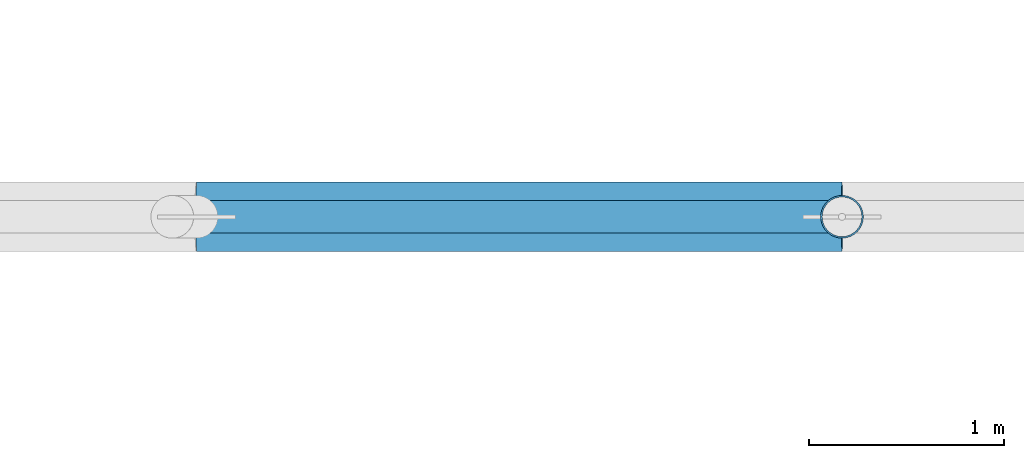
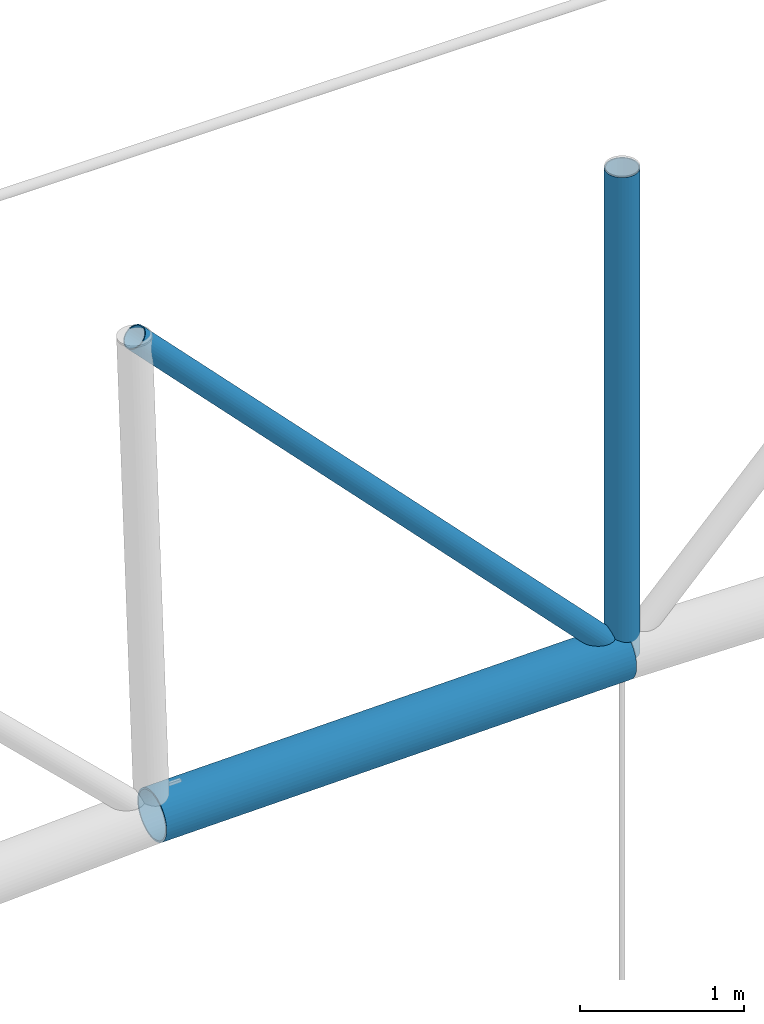
# One storey, part 32 of 321: 3 members.
"""IFC4 building model written with IfcOpenShell, lengths in metres."""

from ifc_helpers import new_model, si_unit, direction, frame, origin, origin_2d, place, context, subcontext, project, spatial, hollow_circle, extrude, material, material_profile, profile_set, type_object, element, save


model = new_model("IFC4")

# Units and contexts
model_context = context("Model", 3, precision=1e-05, world=origin(), true_north=direction((0.0, 1.0)))
body_context = subcontext(model_context, "Body", "Model", "MODEL_VIEW")
ifc_project = project(units=[si_unit("LENGTHUNIT", "METRE"), si_unit("AREAUNIT", "SQUARE_METRE"), si_unit("VOLUMEUNIT", "CUBIC_METRE"), si_unit("PLANEANGLEUNIT", "RADIAN"), si_unit("MASSUNIT", "GRAM", prefix="KILO")], contexts=[model_context])

# Site, building, storey
site_placement = place(None, origin())
site = spatial("IfcSite", under=ifc_project, at=site_placement, CompositionType="ELEMENT")
building_placement = place(site_placement, origin())
building = spatial("IfcBuilding", under=site, at=building_placement, Name="Ravi Spectrum Wholesale Market", CompositionType="ELEMENT")
storey_placement = place(building_placement, frame((0.0, 0.0, 10.800048828125)))
storey = spatial("IfcBuildingStorey", under=building, at=storey_placement, Name="L02", CompositionType="ELEMENT", Elevation=10.800048828125)

# Members
ifc_material_1 = material(Name="Steel S355", Category="steel")
ifc_material_profile_1 = material_profile(ifc_material_1, hollow_circle(Radius=0.084228515625, WallThickness=0.00634765625, at=origin_2d()))
ifc_profile_set_1 = profile_set([ifc_material_profile_1], Name="Steel S355")
member_type_1 = type_object("IfcMemberType", Name="CHS 168.3x6.3 brace", PredefinedType="BRACE", material=ifc_profile_set_1)
member_1_placement = place(storey_placement, frame((66.5703125, 54.0, 8.3408203125), z_axis=(0.695749704847, 0.0, -0.718284308756), x_axis=(0.0, 1.0, 0.0)))
element("IfcMember", 1, at=member_1_placement, inside=storey, type_object=member_type_1, Name="H1-MB-L02-244", PredefinedType="BRACE", context=body_context, shape_type="SweptSolid", body=[
    extrude(hollow_circle(Radius=0.084228515625, WallThickness=0.00634765625, at=origin_2d()), origin(), (0.0, 0.0, 1.0), 4.929443359375),
])
ifc_material_2 = material(Name="Steel S355", Category="steel")
ifc_material_profile_2 = material_profile(ifc_material_2, hollow_circle(Radius=0.109619140625, WallThickness=0.008056640625, at=origin_2d()))
ifc_profile_set_2 = profile_set([ifc_material_profile_2], Name="Steel S355")
member_type_2 = type_object("IfcMemberType", Name="CHS 219.1x8 post", PredefinedType="POST", material=ifc_profile_set_2)
member_2_placement = place(storey_placement, frame((70.0, 54.0, 8.39990234375), z_axis=(0.0, 0.0, -1.0), x_axis=(1.0, 0.0, 0.0)))
element("IfcMember", 2, at=member_2_placement, inside=storey, type_object=member_type_2, Name="H1-MB-L02-222", PredefinedType="POST", context=body_context, shape_type="SweptSolid", body=[
    extrude(hollow_circle(Radius=0.109619140625, WallThickness=0.008056640625, at=origin_2d()), origin(), (0.0, 0.0, 1.0), 3.599853515625),
])
ifc_material_3 = material(Name="Steel S355", Category="steel")
ifc_material_profile_3 = material_profile(ifc_material_3, hollow_circle(Radius=0.177734375, WallThickness=0.012451171875, at=origin_2d()))
ifc_profile_set_3 = profile_set([ifc_material_profile_3], Name="Steel S355")
member_type_3 = type_object("IfcMemberType", Name="CHS 355.6x12.5 chord", PredefinedType="CHORD", material=ifc_profile_set_3)
member_3_placement = place(storey_placement, frame((66.6943359375, 54.0, 4.742919921875), z_axis=(0.999850697486, 0.0, 0.017279546766), x_axis=(0.0, 1.0, 0.0)))
element("IfcMember", 3, at=member_3_placement, inside=storey, type_object=member_type_3, Name="H1-MB-L02-198", PredefinedType="CHORD", context=body_context, shape_type="SweptSolid", body=[
    extrude(hollow_circle(Radius=0.177734375, WallThickness=0.012451171875, at=origin_2d()), origin(), (0.0, 0.0, 1.0), 3.30615234375),
])

save(model, "model.ifc")
